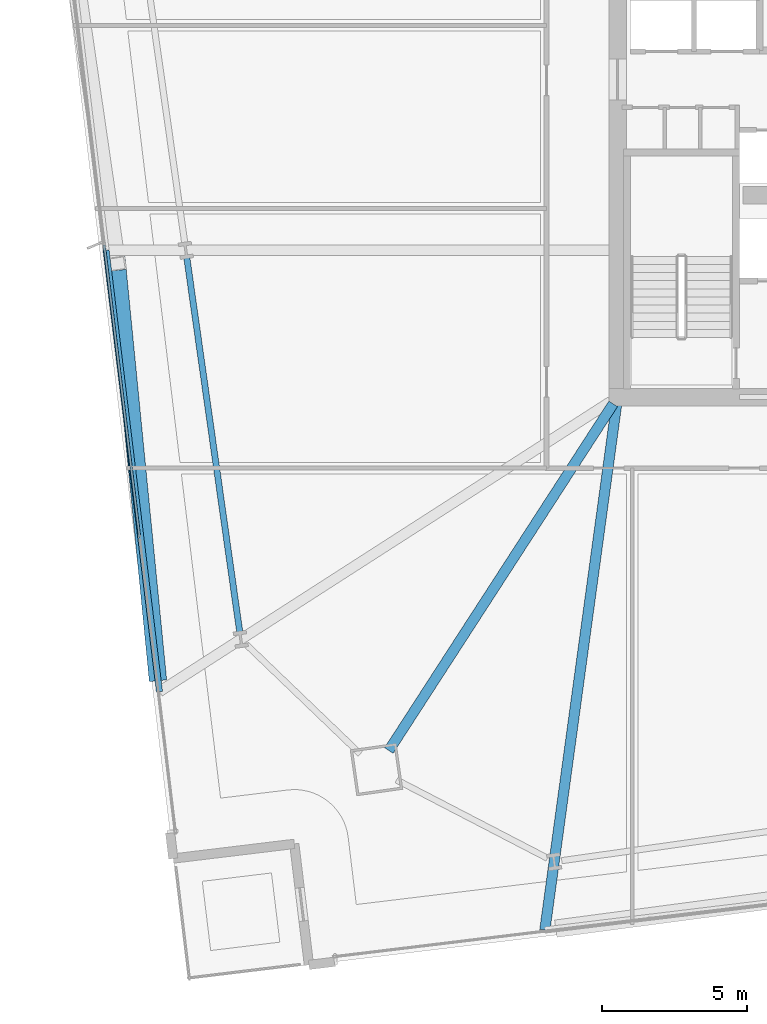
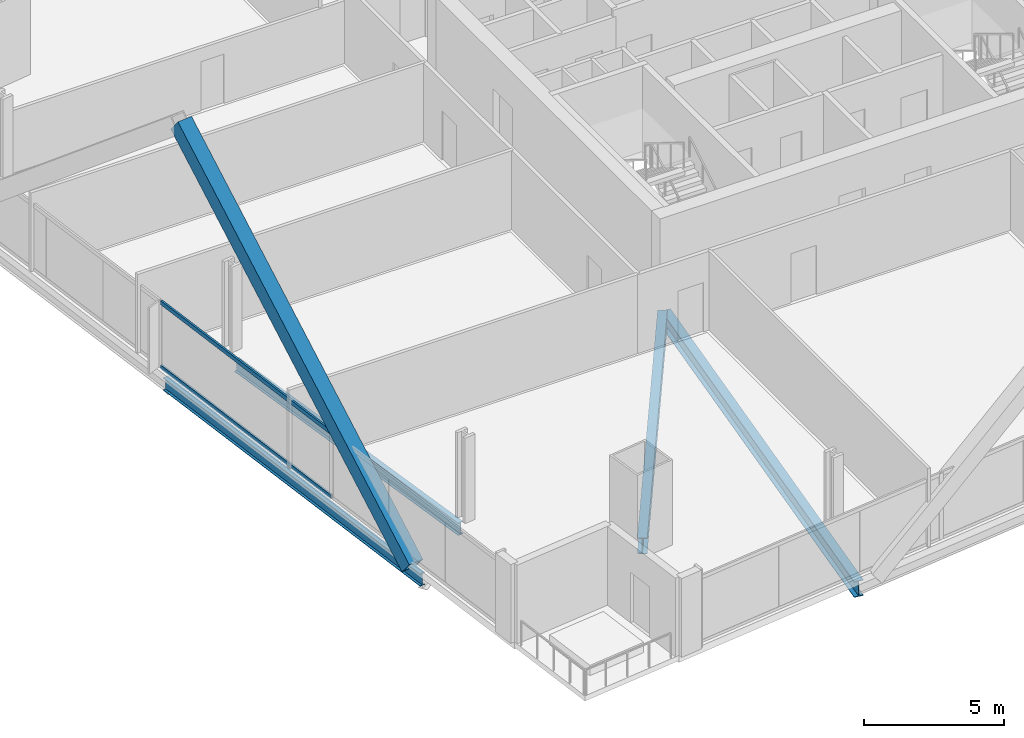
# One storey, part 6 of 33: 4 beams, 3 members, 1 element without a shape of its own.
"""IFC4 building model written with IfcOpenShell, lengths in metres."""

import ifcopenshell
import ifcopenshell.guid

model = None  # the IFC model being written
_history = None  # IfcOwnerHistory: only IFC2X3 demands one
_inside = {}  # id of a spatial element -> (the spatial element, [elements in it])
_under = {}  # id of a project, library or spatial element -> (it, [spatial elements below it])
_declared = {}  # id of a project -> (the project, [libraries it declares])
_typed = {}  # id of a type object -> (the type object, [elements of that type])
_made_of = {}  # id of a material, layer set ... -> (it, [elements and type objects made of it])


def new_model(schema):
    """Start an empty IFC model of exactly this schema.

    Asked for "IFC4X3", IfcOpenShell would pick the latest addendum, in which some entities
    have other attributes; the version numbers below select the first issue.
    IFC2X3 requires an IfcOwnerHistory on every rooted entity: one is made here for all.
    """
    global model, _history
    if schema == "IFC4X3":
        model = ifcopenshell.file(schema_version=(4, 3, 0, 0))
    else:
        model = ifcopenshell.file(schema=schema)
    _inside.clear()
    _under.clear()
    _declared.clear()
    _typed.clear()
    _made_of.clear()
    _history = None
    if model.schema == "IFC2X3":
        org = make("IfcOrganization", Name="unknown")
        user = make(
            "IfcPersonAndOrganization",
            ThePerson=make("IfcPerson", FamilyName="unknown"),
            TheOrganization=org,
        )
        app = make(
            "IfcApplication",
            ApplicationDeveloper=org,
            Version="unknown",
            ApplicationFullName="unknown",
            ApplicationIdentifier="unknown",
        )
        _history = make(
            "IfcOwnerHistory",
            OwningUser=user,
            OwningApplication=app,
            ChangeAction="ADDED",
            CreationDate=0,
        )
    return model


def make(cls, **values):
    """One entity of the class cls with the attributes given. An attribute that is None is left unset."""
    return model.create_entity(
        cls, **{name: value for name, value in values.items() if value is not None}
    )


def rooted(cls, **values):
    """An entity with a GlobalId (a new one), such as an element, a storey or a relation."""
    return make(cls, GlobalId=ifcopenshell.guid.new(), OwnerHistory=_history, **values)


def si_unit(unit_type, name, prefix=None):
    """IfcSIUnit, for example si_unit("LENGTHUNIT", "METRE", prefix="MILLI")."""
    return make("IfcSIUnit", UnitType=unit_type, Prefix=prefix, Name=name)


def assignment(units):
    """IfcUnitAssignment: the units of a project."""
    return None if units is None else make("IfcUnitAssignment", Units=units)


def point(xyz):
    """IfcCartesianPoint."""
    return None if xyz is None else make("IfcCartesianPoint", Coordinates=xyz)


def direction(xyz):
    """IfcDirection."""
    return None if xyz is None else make("IfcDirection", DirectionRatios=xyz)


def frame(location, z_axis=None, x_axis=None):
    """IfcAxis2Placement3D, a coordinate frame: its origin and axes. An axis left out is left unset."""
    return make(
        "IfcAxis2Placement3D",
        Location=point(location),
        Axis=direction(z_axis),
        RefDirection=direction(x_axis),
    )


def frame_2d(location, x_axis=None):
    """IfcAxis2Placement2D, a coordinate frame in the plane: its origin and x axis."""
    return make(
        "IfcAxis2Placement2D", Location=point(location), RefDirection=direction(x_axis)
    )


def origin():
    """The frame at (0, 0, 0) with its axes left unset."""
    return frame((0.0, 0.0, 0.0))


def origin_2d():
    """The frame at (0, 0) in the plane with its x axis left unset."""
    return frame_2d((0.0, 0.0))


def place(relative_to, where):
    """IfcLocalPlacement: puts the frame where relative to a parent placement (None: the world)."""
    return make(
        "IfcLocalPlacement", PlacementRelTo=relative_to, RelativePlacement=where
    )


def context(
    kind, dimensions, precision=None, world=None, true_north=None, identifier=None
):
    """IfcGeometricRepresentationContext, for example the 3D "Model" context."""
    return make(
        "IfcGeometricRepresentationContext",
        ContextIdentifier=identifier,
        ContextType=kind,
        CoordinateSpaceDimension=dimensions,
        Precision=precision,
        WorldCoordinateSystem=world,
        TrueNorth=true_north,
    )


def subcontext(parent, identifier, kind, view, scale=None):
    """IfcGeometricRepresentationSubContext, for example "Body" below "Model"."""
    return make(
        "IfcGeometricRepresentationSubContext",
        ContextIdentifier=identifier,
        ContextType=kind,
        ParentContext=parent,
        TargetScale=scale,
        TargetView=view,
    )


def project(units=None, contexts=None):
    """IfcProject with its units and contexts."""
    return rooted(
        "IfcProject",
        Name="project",
        RepresentationContexts=contexts,
        UnitsInContext=assignment(units),
    )


def spatial(cls, under=None, at=None, **own):
    """A site, building, storey or space (cls), placed at a placement, below another one or the project."""
    s = rooted(cls, ObjectPlacement=at, **own)
    if under is not None:
        _under.setdefault(under.id(), (under, []))[1].append(s)
    return s


def profile(cls, at=None, kind="AREA", **sizes):
    """A parametric profile (cls). Its sizes go by their IFC names, for example OverallWidth=200.0."""
    return make(cls, ProfileType=kind, Position=at, **sizes)


def hollow_rectangle(**sizes):
    """IfcRectangleHollowProfileDef."""
    return profile("IfcRectangleHollowProfileDef", **sizes)


def i_section(**sizes):
    """IfcIShapeProfileDef."""
    return profile("IfcIShapeProfileDef", **sizes)


def extrude(swept, where, along, depth):
    """IfcExtrudedAreaSolid: the profile swept, set in the frame where, extruded along a direction by depth."""
    return make(
        "IfcExtrudedAreaSolid",
        SweptArea=swept,
        Position=where,
        ExtrudedDirection=direction(along),
        Depth=depth,
    )


def shape(context_of_items, identifier, shape_type, items):
    """IfcShapeRepresentation: the items that make up one representation, for example the "Body"."""
    return make(
        "IfcShapeRepresentation",
        ContextOfItems=context_of_items,
        RepresentationIdentifier=identifier,
        RepresentationType=shape_type,
        Items=items,
    )


def material(Name=None, Category=None):
    """IfcMaterial."""
    return make("IfcMaterial", Name=Name, Category=Category)


def material_profile(
    of_material, cross_section, Name=None, Category=None, Priority=None
):
    """IfcMaterialProfile: a cross section and its material."""
    return make(
        "IfcMaterialProfile",
        Name=Name,
        Material=of_material,
        Profile=cross_section,
        Priority=Priority,
        Category=Category,
    )


def profile_set(profiles, Name=None, composite=None):
    """IfcMaterialProfileSet."""
    return make(
        "IfcMaterialProfileSet",
        Name=Name,
        MaterialProfiles=profiles,
        CompositeProfile=composite,
    )


def made_of(thing, what):
    """Note that an element or type object is made of a material, layer set ...; save() writes the relation."""
    if what is not None:
        _made_of.setdefault(what.id(), (what, []))[1].append(thing)
    return thing


def type_object(cls, material=None, **own):
    """A type object (cls), such as IfcWallType, which elements share."""
    return made_of(rooted(cls, **own), material)


def element(
    cls,
    number,
    at=None,
    inside=None,
    cuts=None,
    type_object=None,
    material=None,
    context=None,
    identifier="Body",
    shape_type=None,
    held_by="IfcProductDefinitionShape",
    body=None,
    shapes=None,
    **own,
):
    """One element of the class cls, such as IfcWall. Its Tag is "e" and its number.

    at: its placement. inside: the storey or other place that contains it. cuts: it is an
    opening in that element (IfcRelVoidsElement). A single representation is given by context,
    identifier, shape_type and body (its items); several are given by shapes. held_by: the class
    of the entity that holds the representations. save() writes the other relations.
    """
    e = rooted(cls, Tag="e%d" % number, ObjectPlacement=at, **own)
    if body is not None:
        shapes = [shape(context, identifier, shape_type, body)]
    if shapes is not None:
        e.Representation = make(held_by, Representations=shapes)
    if inside is not None:
        _inside.setdefault(inside.id(), (inside, []))[1].append(e)
    if cuts is not None:
        rooted(
            "IfcRelVoidsElement", RelatingBuildingElement=cuts, RelatedOpeningElement=e
        )
    if type_object is not None:
        _typed.setdefault(type_object.id(), (type_object, []))[1].append(e)
    return made_of(e, material)


def aggregate(whole, parts):
    """IfcRelAggregates: a whole, such as a stair, and the parts it consists of."""
    return rooted("IfcRelAggregates", RelatingObject=whole, RelatedObjects=parts)


def save(model, path):
    """Write the relations noted so far, then the file.

    IfcRelAggregates (storeys below a building ...), IfcRelContainedInSpatialStructure (elements
    in a storey), IfcRelDefinesByType, IfcRelAssociatesMaterial and IfcRelDeclares: one each for
    every whole, place, type object, material and project.
    """
    for whole, parts in _under.values():
        aggregate(whole, parts)
    for where, things in _inside.values():
        rooted(
            "IfcRelContainedInSpatialStructure",
            RelatedElements=things,
            RelatingStructure=where,
        )
    for kind, things in _typed.values():
        rooted("IfcRelDefinesByType", RelatedObjects=things, RelatingType=kind)
    for what, things in _made_of.values():
        rooted("IfcRelAssociatesMaterial", RelatedObjects=things, RelatingMaterial=what)
    for by, libraries in _declared.values():
        rooted("IfcRelDeclares", RelatingContext=by, RelatedDefinitions=libraries)
    model.write(path)


model = new_model("IFC4")

# Units and contexts
model_context = context("Model", 3, precision=1e-05, world=origin(), true_north=direction((0.0, 1.0)))
body_context = subcontext(model_context, "Body", "Model", "MODEL_VIEW")
ifc_project = project(units=[si_unit("LENGTHUNIT", "METRE"), si_unit("AREAUNIT", "SQUARE_METRE"), si_unit("VOLUMEUNIT", "CUBIC_METRE"), si_unit("PLANEANGLEUNIT", "RADIAN"), si_unit("MASSUNIT", "GRAM", prefix="KILO")], contexts=[model_context])

# Site, building, storey
site_placement = place(None, origin())
site = spatial("IfcSite", under=ifc_project, at=site_placement, CompositionType="ELEMENT")
building_placement = place(site_placement, origin())
building = spatial("IfcBuilding", under=site, at=building_placement, Name="Haldenkirk Collegiate Tower", CompositionType="ELEMENT")
storey_placement = place(building_placement, frame((0.0, 0.0, 51.449951171875)))
storey = spatial("IfcBuildingStorey", under=building, at=storey_placement, Name="L11", CompositionType="ELEMENT", Elevation=51.449951171875)

# Beams
ifc_material_1 = material(Name="Steel ASTM A992 Grade 50", Category="steel")
ifc_material_profile_1 = material_profile(ifc_material_1, i_section(OverallWidth=0.35498046875, OverallDepth=0.696044921875, WebThickness=0.015380859375, FlangeThickness=0.02490234375, at=origin_2d()), Name="W27X146")
ifc_profile_set_1 = profile_set([ifc_material_profile_1], Name="Steel ASTM A992 Grade 50")
beam_type_1 = type_object("IfcBeamType", Name="BM-GIRDER-W27X146", PredefinedType="BEAM", material=ifc_profile_set_1)
beam_1_placement = place(storey_placement, frame((19.1201171875, 5.826416015625, -0.657958984375), z_axis=(0.54339434448, 0.839477567531, 0.0), x_axis=(-0.839477567531, 0.54339434448, 0.0)))
element("IfcBeam", 1, at=beam_1_placement, inside=storey, type_object=beam_type_1, Name="L11 primary floor girder 01", PredefinedType="BEAM", context=body_context, shape_type="SweptSolid", body=[
    extrude(i_section(OverallWidth=0.35498046875, OverallDepth=0.696044921875, WebThickness=0.015380859375, FlangeThickness=0.02490234375, at=origin_2d()), origin(), (0.0, 0.0, 1.0), 14.221435546875),
])
beam_2_placement = place(storey_placement, frame((24.494140625, -0.353271484375, -0.657958984375), z_axis=(0.135281010046, 0.990807271027, 0.0), x_axis=(-0.990807271027, 0.135281010046, 0.0)))
element("IfcBeam", 2, at=beam_2_placement, inside=storey, type_object=beam_type_1, Name="L11 primary floor girder 05", PredefinedType="BEAM", context=body_context, shape_type="SweptSolid", body=[
    extrude(i_section(OverallWidth=0.35498046875, OverallDepth=0.696044921875, WebThickness=0.015380859375, FlangeThickness=0.02490234375, at=origin_2d()), origin(), (0.0, 0.0, 1.0), 18.24365234375),
])
ifc_material_profile_2 = material_profile(ifc_material_1, i_section(OverallWidth=0.2119140625, OverallDepth=0.5439453125, WebThickness=0.01318359375, FlangeThickness=0.021240234375, at=origin_2d()), Name="W21X83")
ifc_profile_set_2 = profile_set([ifc_material_profile_2], Name="Steel ASTM A992 Grade 50")
beam_type_2 = type_object("IfcBeamType", Name="BM-SPANDREL-W21X83", PredefinedType="SPANDREL", material=ifc_profile_set_2)
beam_3_placement = place(storey_placement, frame((12.16455078125, 22.791015625, -0.58203125), z_axis=(0.140043508171, -0.990145350855, 0.0), x_axis=(0.990145350855, 0.140043508171, 0.0)))
element("IfcBeam", 3, at=beam_3_placement, inside=storey, type_object=beam_type_2, Name="L11 perimeter spandrel beam 15", PredefinedType="SPANDREL", context=body_context, shape_type="SweptSolid", body=[
    extrude(i_section(OverallWidth=0.2119140625, OverallDepth=0.5439453125, WebThickness=0.01318359375, FlangeThickness=0.021240234375, at=origin_2d()), origin(), (0.0, 0.0, 1.0), 13.0),
])
beam_4_placement = place(storey_placement, frame((9.38134765625, 23.052978515625, -0.58203125), z_axis=(0.120127507064, -0.992758471153, 0.0), x_axis=(0.992758471153, 0.120127507064, 0.0)))
element("IfcBeam", 4, at=beam_4_placement, inside=storey, type_object=beam_type_2, Name="L11 outer facade edge beam 4B", PredefinedType="SPANDREL", context=body_context, shape_type="SweptSolid", body=[
    extrude(i_section(OverallWidth=0.2119140625, OverallDepth=0.5439453125, WebThickness=0.01318359375, FlangeThickness=0.021240234375, at=origin_2d()), origin(), (0.0, 0.0, 1.0), 15.3076171875),
])

# Curtain wall, members
ifc_material_2 = material(Name="Anodised architectural bronze aluminium", Category="aluminium")
curtain_wall_type = type_object("IfcCurtainWallType", Name="CW-SYS1-CONVEX-LOW", PredefinedType="USERDEFINED", material=ifc_material_2)
curtain_wall_placement = place(storey_placement, origin())
curtain_wall = element("IfcCurtainWall", 5, at=curtain_wall_placement, inside=storey, type_object=curtain_wall_type, Name="L11 Lower tower convex bronze-framed unitised curtain wall", ObjectType="UNITISED CURTAIN WALL", PredefinedType="USERDEFINED")
ifc_material_profile_3 = material_profile(ifc_material_2, hollow_rectangle(XDim=0.080078125, YDim=0.179931640625, WallThickness=0.0048828125, at=origin_2d()), Name="CW-TRN-1A")
ifc_profile_set_3 = profile_set([ifc_material_profile_3], Name="Anodised architectural bronze aluminium")
member_type_1 = type_object("IfcMemberType", Name="CW-TRN-1A", PredefinedType="USERDEFINED", material=ifc_profile_set_3)
member_1_placement = place(storey_placement, frame((10.534912109375, 13.18798828125, 0.0400390625), z_axis=(-0.120141161999, 0.99275681876, 0.0), x_axis=(-0.99275681876, -0.120141161999, 0.0)))
member_1 = element("IfcMember", 6, at=member_1_placement, type_object=member_type_1, Name="CW-1A transom 2.1", ObjectType="TRANSOM", PredefinedType="USERDEFINED", context=body_context, shape_type="SweptSolid", body=[
    extrude(hollow_rectangle(XDim=0.080078125, YDim=0.179931640625, WallThickness=0.0048828125, at=origin_2d()), origin(), (0.0, 0.0, 1.0), 10.119873046875),
])
member_2_placement = place(storey_placement, frame((10.534912109375, 13.18798828125, 2.85107421875), z_axis=(-0.120141161999, 0.99275681876, 0.0), x_axis=(-0.99275681876, -0.120141161999, 0.0)))
member_2 = element("IfcMember", 7, at=member_2_placement, type_object=member_type_1, Name="CW-1A transom 2.2", ObjectType="TRANSOM", PredefinedType="USERDEFINED", context=body_context, shape_type="SweptSolid", body=[
    extrude(hollow_rectangle(XDim=0.080078125, YDim=0.179931640625, WallThickness=0.0048828125, at=origin_2d()), origin(), (0.0, 0.0, 1.0), 10.119873046875),
])
aggregate(curtain_wall, [member_1, member_2])

# Member
ifc_material_3 = material(Name="Steel ASTM A572 Grade 50", Category="steel")
ifc_material_profile_4 = material_profile(ifc_material_3, hollow_rectangle(XDim=0.60009765625, YDim=0.719970703125, WallThickness=0.044921875, at=origin_2d()), Name="BOX720X600X45")
ifc_profile_set_4 = profile_set([ifc_material_profile_4], Name="Steel ASTM A572 Grade 50")
member_type_2 = type_object("IfcMemberType", Name="MBR-MEGABRACE-BOX720X600X45", PredefinedType="BRACE", material=ifc_profile_set_4)
member_3_placement = place(storey_placement, frame((11.148193359375, 8.451904296875, -0.320068359375), z_axis=(-0.076844974581, 0.780197434769, 0.620795306571), x_axis=(-0.995184448663, -0.098019962964, 0.0)))
element("IfcMember", 8, at=member_3_placement, inside=storey, type_object=member_type_2, Name="Perimeter Mega Brace Z1 L11-L13 WR", PredefinedType="BRACE", context=body_context, shape_type="SweptSolid", body=[
    extrude(hollow_rectangle(XDim=0.60009765625, YDim=0.719970703125, WallThickness=0.044921875, at=origin_2d()), origin(), (0.0, 0.0, 1.0), 18.121826171875),
])

save(model, "model.ifc")
